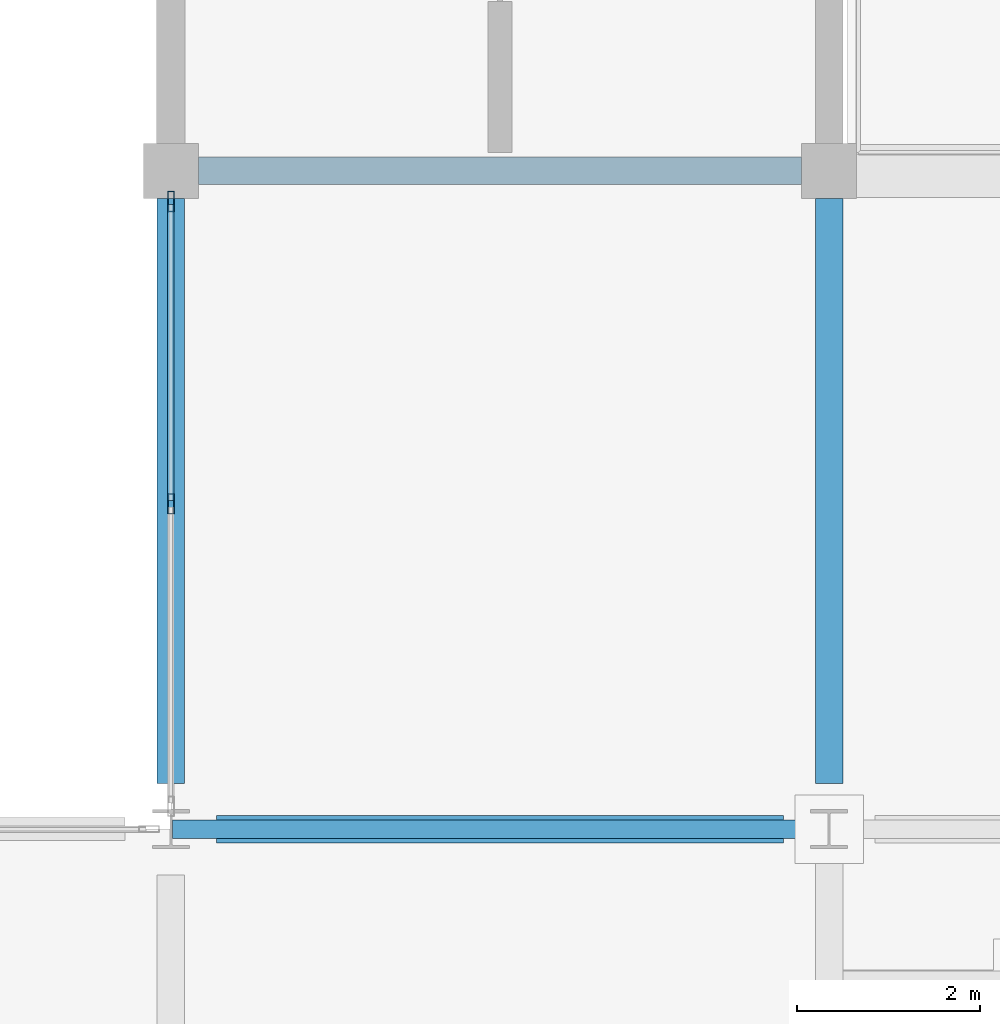
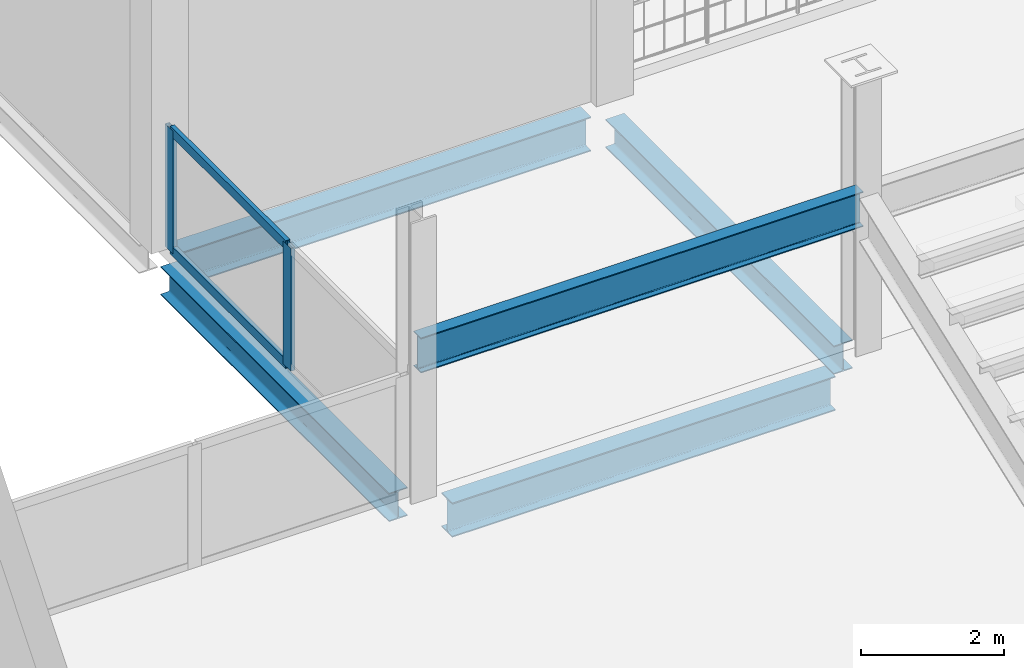
# One storey, part 44 of 120: 5 beams, 4 members, 1 element without a shape of its own.
"""IFC4 building model written with IfcOpenShell, lengths in metres."""

from ifc_helpers import new_model, si_unit, direction, frame, origin, origin_2d, place, context, subcontext, project, spatial, hollow_rectangle, i_section, extrude, material, material_profile, profile_set, type_object, element, aggregate, save


model = new_model("IFC4")

# Units and contexts
model_context = context("Model", 3, precision=1e-05, world=origin(), true_north=direction((0.0, 1.0)))
body_context = subcontext(model_context, "Body", "Model", "MODEL_VIEW")
ifc_project = project(units=[si_unit("LENGTHUNIT", "METRE"), si_unit("AREAUNIT", "SQUARE_METRE"), si_unit("VOLUMEUNIT", "CUBIC_METRE"), si_unit("PLANEANGLEUNIT", "RADIAN"), si_unit("MASSUNIT", "GRAM", prefix="KILO")], contexts=[model_context])

# Site, building, storey
site_placement = place(None, origin())
site = spatial("IfcSite", under=ifc_project, at=site_placement, CompositionType="ELEMENT")
building_placement = place(site_placement, origin())
building = spatial("IfcBuilding", under=site, at=building_placement, Name="Vesperath Aquatics Centre", CompositionType="ELEMENT")
storey_placement = place(building_placement, frame((0.0, 0.0, 10.199951171875)))
storey = spatial("IfcBuildingStorey", under=building, at=storey_placement, Name="L02", CompositionType="ELEMENT", Elevation=10.199951171875)

# Beams
ifc_material_1 = material(Name="Steel Q355C", Category="steel")
ifc_material_profile_1 = material_profile(ifc_material_1, i_section(OverallWidth=0.300048828125, OverallDepth=0.587890625, WebThickness=0.011962890625, FlangeThickness=0.02001953125, FilletRadius=0.028076171875, at=origin_2d()), Name="HM 588x300x12x20")
ifc_profile_set_1 = profile_set([ifc_material_profile_1], Name="Steel Q355C")
beam_type_1 = type_object("IfcBeamType", Name="BM-G09", PredefinedType="BEAM", material=ifc_profile_set_1)
beam_1_placement = place(storey_placement, frame((7.699951171875, 86.39990234375, -0.553955078125), z_axis=(1.0, 0.0, 0.0), x_axis=(0.0, 1.0, 0.0)))
element("IfcBeam", 1, at=beam_1_placement, inside=storey, type_object=beam_type_1, Name="Floor Girder B09 L02 N 2-3", PredefinedType="BEAM", context=body_context, shape_type="SweptSolid", body=[
    extrude(i_section(OverallWidth=0.300048828125, OverallDepth=0.587890625, WebThickness=0.011962890625, FlangeThickness=0.02001953125, FilletRadius=0.028076171875, at=origin_2d()), origin(), (0.0, 0.0, 1.0), 6.199951171875),
])
beam_2_placement = place(storey_placement, frame((7.5, 93.60009765625, -0.553955078125), z_axis=(1.0, 0.0, 0.0), x_axis=(0.0, 1.0, 0.0)))
element("IfcBeam", 2, at=beam_2_placement, inside=storey, type_object=beam_type_1, Name="Floor Girder B09 L02 P 2-3", PredefinedType="BEAM", context=body_context, shape_type="SweptSolid", body=[
    extrude(i_section(OverallWidth=0.300048828125, OverallDepth=0.587890625, WebThickness=0.011962890625, FlangeThickness=0.02001953125, FilletRadius=0.028076171875, at=origin_2d()), origin(), (0.0, 0.0, 1.0), 6.60009765625),
])
ifc_material_profile_2 = material_profile(ifc_material_1, i_section(OverallWidth=0.300048828125, OverallDepth=0.488037109375, WebThickness=0.010986328125, FlangeThickness=0.01806640625, FilletRadius=0.02587890625, at=origin_2d()), Name="HM 488x300x11x18")
ifc_profile_set_2 = profile_set([ifc_material_profile_2], Name="Steel Q355C")
beam_type_2 = type_object("IfcBeamType", Name="BM-G10", PredefinedType="BEAM", material=ifc_profile_set_2)
for number, where, z_axis, x_axis, name in (
    (3, (7.199951171875, 86.89990234375, -0.50390625), (0.0, 1.0, 0.0), (-1.0, 0.0, 0.0), "Floor Girder B10 L02 2 N-P"),
    (4, (14.39990234375, 86.89990234375, -0.50390625), (0.0, 1.0, 0.0), (-1.0, 0.0, 0.0), "Floor Girder B10 L02 3 N-P"),
):
    element("IfcBeam", number, at=place(storey_placement, frame(where, z_axis=z_axis, x_axis=x_axis)), inside=storey, type_object=beam_type_2, Name=name, PredefinedType="BEAM", context=body_context, shape_type="SweptSolid", body=[
        extrude(i_section(OverallWidth=0.300048828125, OverallDepth=0.488037109375, WebThickness=0.010986328125, FlangeThickness=0.01806640625, FilletRadius=0.02587890625, at=origin_2d()), origin(), (0.0, 0.0, 1.0), 6.400146484375),
    ])
ifc_material_2 = material(Name="Steel Q355D", Category="steel")
ifc_material_profile_3 = material_profile(ifc_material_2, i_section(OverallWidth=0.199951171875, OverallDepth=0.60009765625, WebThickness=0.010986328125, FlangeThickness=0.01708984375, FilletRadius=0.02197265625, at=origin_2d()), Name="HN 600x200x11x17")
ifc_profile_set_3 = profile_set([ifc_material_profile_3], Name="Steel Q355D")
beam_type_3 = type_object("IfcBeamType", Name="BM-RKH1", PredefinedType="BEAM", material=ifc_profile_set_3)
beam_3_placement = place(storey_placement, frame((7.219970703125, 86.39990234375, 2.400146484375), z_axis=(1.0, 0.0, 0.0), x_axis=(0.0, 1.0, 0.0)))
element("IfcBeam", 5, at=beam_3_placement, inside=storey, type_object=beam_type_3, Name="Upper Bowl Rim Girder RKH1 North 2-3", PredefinedType="BEAM", context=body_context, shape_type="SweptSolid", body=[
    extrude(i_section(OverallWidth=0.199951171875, OverallDepth=0.60009765625, WebThickness=0.010986328125, FlangeThickness=0.01708984375, FilletRadius=0.02197265625, at=origin_2d()), origin(), (0.0, 0.0, 1.0), 7.159912109375),
])

# Curtain wall, members
ifc_material_3 = material(Name="Thermally broken anodised bronze aluminium curtain wall", Category="aluminium")
curtain_wall_type = type_object("IfcCurtainWallType", Name="CW-06", PredefinedType="NOTDEFINED", material=ifc_material_3)
curtain_wall_placement = place(storey_placement, origin())
curtain_wall = element("IfcCurtainWall", 6, at=curtain_wall_placement, inside=storey, type_object=curtain_wall_type, Name="Facade Curtain Wall CW06 L02_W_01_12", PredefinedType="NOTDEFINED")
ifc_material_4 = material(Name="Thermally broken anodised aluminium", Category="aluminium")
ifc_material_profile_4 = material_profile(ifc_material_4, hollow_rectangle(XDim=0.070068359375, YDim=0.219970703125, WallThickness=0.0048828125, at=origin_2d()), Name="CWM 70x220x5")
ifc_profile_set_4 = profile_set([ifc_material_profile_4], Name="Thermally broken anodised aluminium")
member_type_1 = type_object("IfcMemberType", Name="MB-CWM2", PredefinedType="MULLION", material=ifc_profile_set_4)
member_1_placement = place(storey_placement, frame((7.199951171875, 89.95703125, 0.0), z_axis=(0.0, 0.0, 1.0), x_axis=(-1.0, 0.0, 0.0)))
member_1 = element("IfcMember", 7, at=member_1_placement, type_object=member_type_1, Name="CW06 mullion 2", PredefinedType="MULLION", context=body_context, shape_type="SweptSolid", body=[
    extrude(hollow_rectangle(XDim=0.070068359375, YDim=0.219970703125, WallThickness=0.0048828125, at=origin_2d()), origin(), (0.0, 0.0, 1.0), 2.10009765625),
])
member_2_placement = place(storey_placement, frame((7.199951171875, 93.264892578125, 0.0), z_axis=(0.0, 0.0, 1.0), x_axis=(-1.0, 0.0, 0.0)))
member_2 = element("IfcMember", 8, at=member_2_placement, type_object=member_type_1, Name="CW06 mullion 3", PredefinedType="MULLION", context=body_context, shape_type="SweptSolid", body=[
    extrude(hollow_rectangle(XDim=0.070068359375, YDim=0.219970703125, WallThickness=0.0048828125, at=origin_2d()), origin(), (0.0, 0.0, 1.0), 2.10009765625),
])
ifc_material_profile_5 = material_profile(ifc_material_4, hollow_rectangle(XDim=0.070068359375, YDim=0.159912109375, WallThickness=0.0048828125, at=origin_2d()), Name="CWT 70x160x5")
ifc_profile_set_5 = profile_set([ifc_material_profile_5], Name="Thermally broken anodised aluminium")
member_type_2 = type_object("IfcMemberType", Name="MB-CWT2", PredefinedType="USERDEFINED", material=ifc_profile_set_5)
member_3_placement = place(storey_placement, frame((7.199951171875, 89.991943359375, 0.03515625), z_axis=(0.0, 1.0, 0.0), x_axis=(-1.0, 0.0, 0.0)))
member_3 = element("IfcMember", 9, at=member_3_placement, type_object=member_type_2, Name="CW06 transom 2.1", ObjectType="TRANSOM", PredefinedType="USERDEFINED", context=body_context, shape_type="SweptSolid", body=[
    extrude(hollow_rectangle(XDim=0.070068359375, YDim=0.159912109375, WallThickness=0.0048828125, at=origin_2d()), origin(), (0.0, 0.0, 1.0), 3.238037109375),
])
member_4_placement = place(storey_placement, frame((7.199951171875, 89.991943359375, 2.06494140625), z_axis=(0.0, 1.0, 0.0), x_axis=(-1.0, 0.0, 0.0)))
member_4 = element("IfcMember", 10, at=member_4_placement, type_object=member_type_2, Name="CW06 transom 2.2", ObjectType="TRANSOM", PredefinedType="USERDEFINED", context=body_context, shape_type="SweptSolid", body=[
    extrude(hollow_rectangle(XDim=0.070068359375, YDim=0.159912109375, WallThickness=0.0048828125, at=origin_2d()), origin(), (0.0, 0.0, 1.0), 3.238037109375),
])
aggregate(curtain_wall, [member_1, member_2, member_3, member_4])

save(model, "model.ifc")
